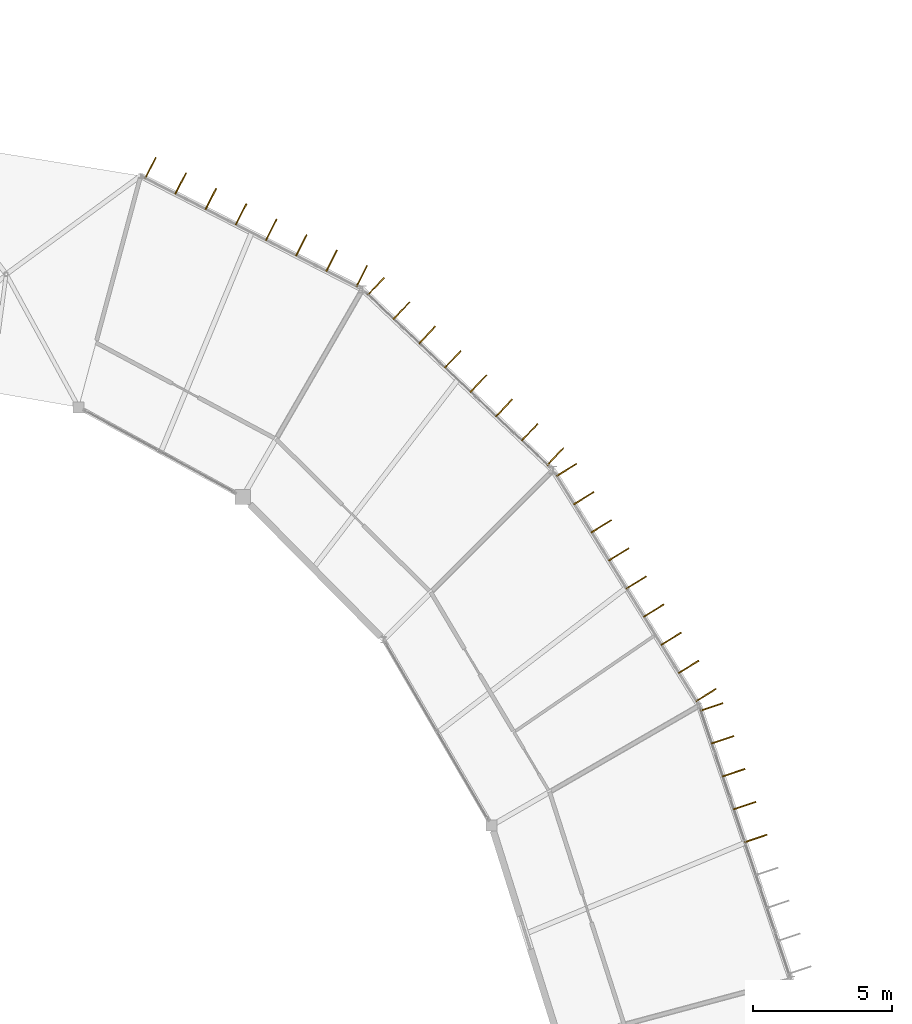
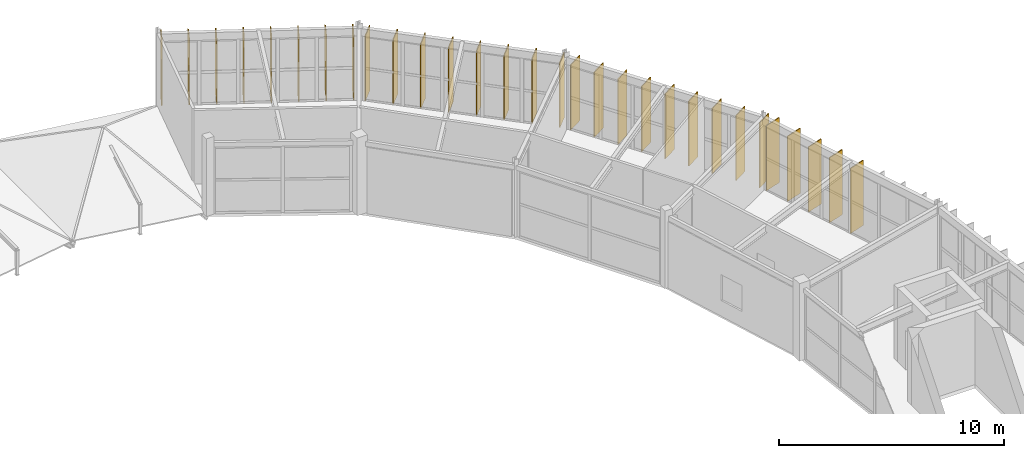
# One storey, part 65 of 66: 30 shading devices.
"""IFC4 building model written with IfcOpenShell, lengths in metres."""

import ifcopenshell
import ifcopenshell.guid

model = None  # the IFC model being written
_history = None  # IfcOwnerHistory: only IFC2X3 demands one
_inside = {}  # id of a spatial element -> (the spatial element, [elements in it])
_under = {}  # id of a project, library or spatial element -> (it, [spatial elements below it])
_declared = {}  # id of a project -> (the project, [libraries it declares])
_typed = {}  # id of a type object -> (the type object, [elements of that type])
_made_of = {}  # id of a material, layer set ... -> (it, [elements and type objects made of it])


def new_model(schema):
    """Start an empty IFC model of exactly this schema.

    Asked for "IFC4X3", IfcOpenShell would pick the latest addendum, in which some entities
    have other attributes; the version numbers below select the first issue.
    IFC2X3 requires an IfcOwnerHistory on every rooted entity: one is made here for all.
    """
    global model, _history
    if schema == "IFC4X3":
        model = ifcopenshell.file(schema_version=(4, 3, 0, 0))
    else:
        model = ifcopenshell.file(schema=schema)
    _inside.clear()
    _under.clear()
    _declared.clear()
    _typed.clear()
    _made_of.clear()
    _history = None
    if model.schema == "IFC2X3":
        org = make("IfcOrganization", Name="unknown")
        user = make(
            "IfcPersonAndOrganization",
            ThePerson=make("IfcPerson", FamilyName="unknown"),
            TheOrganization=org,
        )
        app = make(
            "IfcApplication",
            ApplicationDeveloper=org,
            Version="unknown",
            ApplicationFullName="unknown",
            ApplicationIdentifier="unknown",
        )
        _history = make(
            "IfcOwnerHistory",
            OwningUser=user,
            OwningApplication=app,
            ChangeAction="ADDED",
            CreationDate=0,
        )
    return model


def make(cls, **values):
    """One entity of the class cls with the attributes given. An attribute that is None is left unset."""
    return model.create_entity(
        cls, **{name: value for name, value in values.items() if value is not None}
    )


def rooted(cls, **values):
    """An entity with a GlobalId (a new one), such as an element, a storey or a relation."""
    return make(cls, GlobalId=ifcopenshell.guid.new(), OwnerHistory=_history, **values)


def si_unit(unit_type, name, prefix=None):
    """IfcSIUnit, for example si_unit("LENGTHUNIT", "METRE", prefix="MILLI")."""
    return make("IfcSIUnit", UnitType=unit_type, Prefix=prefix, Name=name)


def assignment(units):
    """IfcUnitAssignment: the units of a project."""
    return None if units is None else make("IfcUnitAssignment", Units=units)


def point(xyz):
    """IfcCartesianPoint."""
    return None if xyz is None else make("IfcCartesianPoint", Coordinates=xyz)


def direction(xyz):
    """IfcDirection."""
    return None if xyz is None else make("IfcDirection", DirectionRatios=xyz)


def frame(location, z_axis=None, x_axis=None):
    """IfcAxis2Placement3D, a coordinate frame: its origin and axes. An axis left out is left unset."""
    return make(
        "IfcAxis2Placement3D",
        Location=point(location),
        Axis=direction(z_axis),
        RefDirection=direction(x_axis),
    )


def frame_2d(location, x_axis=None):
    """IfcAxis2Placement2D, a coordinate frame in the plane: its origin and x axis."""
    return make(
        "IfcAxis2Placement2D", Location=point(location), RefDirection=direction(x_axis)
    )


def origin():
    """The frame at (0, 0, 0) with its axes left unset."""
    return frame((0.0, 0.0, 0.0))


def origin_2d():
    """The frame at (0, 0) in the plane with its x axis left unset."""
    return frame_2d((0.0, 0.0))


def place(relative_to, where):
    """IfcLocalPlacement: puts the frame where relative to a parent placement (None: the world)."""
    return make(
        "IfcLocalPlacement", PlacementRelTo=relative_to, RelativePlacement=where
    )


def context(
    kind, dimensions, precision=None, world=None, true_north=None, identifier=None
):
    """IfcGeometricRepresentationContext, for example the 3D "Model" context."""
    return make(
        "IfcGeometricRepresentationContext",
        ContextIdentifier=identifier,
        ContextType=kind,
        CoordinateSpaceDimension=dimensions,
        Precision=precision,
        WorldCoordinateSystem=world,
        TrueNorth=true_north,
    )


def subcontext(parent, identifier, kind, view, scale=None):
    """IfcGeometricRepresentationSubContext, for example "Body" below "Model"."""
    return make(
        "IfcGeometricRepresentationSubContext",
        ContextIdentifier=identifier,
        ContextType=kind,
        ParentContext=parent,
        TargetScale=scale,
        TargetView=view,
    )


def project(units=None, contexts=None):
    """IfcProject with its units and contexts."""
    return rooted(
        "IfcProject",
        Name="project",
        RepresentationContexts=contexts,
        UnitsInContext=assignment(units),
    )


def spatial(cls, under=None, at=None, **own):
    """A site, building, storey or space (cls), placed at a placement, below another one or the project."""
    s = rooted(cls, ObjectPlacement=at, **own)
    if under is not None:
        _under.setdefault(under.id(), (under, []))[1].append(s)
    return s


def profile(cls, at=None, kind="AREA", **sizes):
    """A parametric profile (cls). Its sizes go by their IFC names, for example OverallWidth=200.0."""
    return make(cls, ProfileType=kind, Position=at, **sizes)


def rectangle(**sizes):
    """IfcRectangleProfileDef."""
    return profile("IfcRectangleProfileDef", **sizes)


def extrude(swept, where, along, depth):
    """IfcExtrudedAreaSolid: the profile swept, set in the frame where, extruded along a direction by depth."""
    return make(
        "IfcExtrudedAreaSolid",
        SweptArea=swept,
        Position=where,
        ExtrudedDirection=direction(along),
        Depth=depth,
    )


def shape(context_of_items, identifier, shape_type, items):
    """IfcShapeRepresentation: the items that make up one representation, for example the "Body"."""
    return make(
        "IfcShapeRepresentation",
        ContextOfItems=context_of_items,
        RepresentationIdentifier=identifier,
        RepresentationType=shape_type,
        Items=items,
    )


def material(Name=None, Category=None):
    """IfcMaterial."""
    return make("IfcMaterial", Name=Name, Category=Category)


def layer(
    of_material, thickness, ventilated=None, Name=None, Category=None, Priority=None
):
    """IfcMaterialLayer: one layer of a wall or slab, of a material (None: an air gap)."""
    return make(
        "IfcMaterialLayer",
        Material=of_material,
        LayerThickness=thickness,
        IsVentilated=ventilated,
        Name=Name,
        Category=Category,
        Priority=Priority,
    )


def layer_set(layers, Name=None):
    """IfcMaterialLayerSet."""
    return make("IfcMaterialLayerSet", MaterialLayers=layers, LayerSetName=Name)


def made_of(thing, what):
    """Note that an element or type object is made of a material, layer set ...; save() writes the relation."""
    if what is not None:
        _made_of.setdefault(what.id(), (what, []))[1].append(thing)
    return thing


def type_object(cls, material=None, **own):
    """A type object (cls), such as IfcWallType, which elements share."""
    return made_of(rooted(cls, **own), material)


def element(
    cls,
    number,
    at=None,
    inside=None,
    cuts=None,
    type_object=None,
    material=None,
    context=None,
    identifier="Body",
    shape_type=None,
    held_by="IfcProductDefinitionShape",
    body=None,
    shapes=None,
    **own,
):
    """One element of the class cls, such as IfcWall. Its Tag is "e" and its number.

    at: its placement. inside: the storey or other place that contains it. cuts: it is an
    opening in that element (IfcRelVoidsElement). A single representation is given by context,
    identifier, shape_type and body (its items); several are given by shapes. held_by: the class
    of the entity that holds the representations. save() writes the other relations.
    """
    e = rooted(cls, Tag="e%d" % number, ObjectPlacement=at, **own)
    if body is not None:
        shapes = [shape(context, identifier, shape_type, body)]
    if shapes is not None:
        e.Representation = make(held_by, Representations=shapes)
    if inside is not None:
        _inside.setdefault(inside.id(), (inside, []))[1].append(e)
    if cuts is not None:
        rooted(
            "IfcRelVoidsElement", RelatingBuildingElement=cuts, RelatedOpeningElement=e
        )
    if type_object is not None:
        _typed.setdefault(type_object.id(), (type_object, []))[1].append(e)
    return made_of(e, material)


def aggregate(whole, parts):
    """IfcRelAggregates: a whole, such as a stair, and the parts it consists of."""
    return rooted("IfcRelAggregates", RelatingObject=whole, RelatedObjects=parts)


def save(model, path):
    """Write the relations noted so far, then the file.

    IfcRelAggregates (storeys below a building ...), IfcRelContainedInSpatialStructure (elements
    in a storey), IfcRelDefinesByType, IfcRelAssociatesMaterial and IfcRelDeclares: one each for
    every whole, place, type object, material and project.
    """
    for whole, parts in _under.values():
        aggregate(whole, parts)
    for where, things in _inside.values():
        rooted(
            "IfcRelContainedInSpatialStructure",
            RelatedElements=things,
            RelatingStructure=where,
        )
    for kind, things in _typed.values():
        rooted("IfcRelDefinesByType", RelatedObjects=things, RelatingType=kind)
    for what, things in _made_of.values():
        rooted("IfcRelAssociatesMaterial", RelatedObjects=things, RelatingMaterial=what)
    for by, libraries in _declared.values():
        rooted("IfcRelDeclares", RelatingContext=by, RelatedDefinitions=libraries)
    model.write(path)


model = new_model("IFC4")

# Units and contexts
model_context = context("Model", 3, precision=1e-05, world=origin(), true_north=direction((0.0, 1.0)))
body_context = subcontext(model_context, "Body", "Model", "MODEL_VIEW")
ifc_project = project(units=[si_unit("LENGTHUNIT", "METRE"), si_unit("AREAUNIT", "SQUARE_METRE"), si_unit("VOLUMEUNIT", "CUBIC_METRE"), si_unit("PLANEANGLEUNIT", "RADIAN"), si_unit("MASSUNIT", "GRAM", prefix="KILO")], contexts=[model_context])

# Site, building, storey
site_placement = place(None, origin())
site = spatial("IfcSite", under=ifc_project, at=site_placement, CompositionType="ELEMENT")
building_placement = place(site_placement, origin())
building = spatial("IfcBuilding", under=site, at=building_placement, Name="Karori Crest Natural Sciences Institute", CompositionType="ELEMENT")
storey_placement = place(building_placement, frame((0.0, 0.0, 30.10009765625)))
storey = spatial("IfcBuildingStorey", under=building, at=storey_placement, Name="L07", CompositionType="ELEMENT", Elevation=30.10009765625)

# Shading devices
ifc_material = material(Name="Anodised architectural aluminium 6063-T6", Category="aluminium")
ifc_layer = layer(ifc_material, 0.044921875, Name="Anodised architectural aluminium 6063-T6")
ifc_layer_set = layer_set([ifc_layer], Name="Anodised architectural aluminium 6063-T6")
shading_device_type = type_object("IfcShadingDeviceType", Name="SDT-FIN", PredefinedType="USERDEFINED", material=ifc_layer_set)
for number, where, z_axis, x_axis, name in (
    (1, (95.42578125, 70.25634765625, 0.0), (0.0, 0.0, 1.0), (0.948197867933, 0.317680347595, 0.0), "Vertical solar fin FN-1226"),
    (2, (95.8212890625, 69.075439453125, 0.0), (0.0, 0.0, 1.0), (0.948197867933, 0.317680347595, 0.0), "Vertical solar fin FN-1227"),
    (3, (96.217041015625, 67.894775390625, 0.0), (0.0, 0.0, 1.0), (0.948197867933, 0.317680347595, 0.0), "Vertical solar fin FN-1228"),
    (4, (96.61279296875, 66.7138671875, 0.0), (0.0, 0.0, 1.0), (0.948197867933, 0.317680347595, 0.0), "Vertical solar fin FN-1229"),
    (5, (97.00830078125, 65.533203125, 0.0), (0.0, 0.0, 1.0), (0.948197867933, 0.317680347595, 0.0), "Vertical solar fin FN-1230"),
    (6, (90.215087890625, 78.7529296875, 0.0), (0.0, 0.0, 1.0), (0.849661763889, 0.527328063907, 0.0), "Vertical solar fin FN-1235"),
    (7, (90.84130859375, 77.743896484375, 0.0), (0.0, 0.0, 1.0), (0.849661763889, 0.527328063907, 0.0), "Vertical solar fin FN-1236"),
    (8, (91.4677734375, 76.73486328125, 0.0), (0.0, 0.0, 1.0), (0.849661763889, 0.527328063907, 0.0), "Vertical solar fin FN-1237"),
    (9, (92.093994140625, 75.725830078125, 0.0), (0.0, 0.0, 1.0), (0.849661763889, 0.527328063907, 0.0), "Vertical solar fin FN-1238"),
    (10, (92.72021484375, 74.716796875, 0.0), (0.0, 0.0, 1.0), (0.849661763889, 0.527328063907, 0.0), "Vertical solar fin FN-1239"),
    (11, (93.346435546875, 73.70751953125, 0.0), (0.0, 0.0, 1.0), (0.849661763889, 0.527328063907, 0.0), "Vertical solar fin FN-1240"),
    (12, (93.97265625, 72.698486328125, 0.0), (0.0, 0.0, 1.0), (0.849661763889, 0.527328063907, 0.0), "Vertical solar fin FN-1241"),
    (13, (94.59912109375, 71.689453125, 0.0), (0.0, 0.0, 1.0), (0.849661763889, 0.527328063907, 0.0), "Vertical solar fin FN-1242"),
    (14, (95.22509765625, 70.680419921875, 0.0), (0.0, 0.0, 1.0), (0.849661763889, 0.527328063907, 0.0), "Vertical solar fin FN-1243"),
    (15, (83.38037109375, 85.34326171875, 0.0), (0.0, 0.0, 1.0), (0.68825202143, 0.725471677599, 0.0), "Vertical solar fin FN-1244"),
    (16, (84.2998046875, 84.470947265625, 0.0), (0.0, 0.0, 1.0), (0.68825202143, 0.725471677599, 0.0), "Vertical solar fin FN-1245"),
    (17, (85.219482421875, 83.598388671875, 0.0), (0.0, 0.0, 1.0), (0.68825202143, 0.725471677599, 0.0), "Vertical solar fin FN-1246"),
    (18, (86.13916015625, 82.72607421875, 0.0), (0.0, 0.0, 1.0), (0.68825202143, 0.725471677599, 0.0), "Vertical solar fin FN-1247"),
    (19, (87.058837890625, 81.853515625, 0.0), (0.0, 0.0, 1.0), (0.68825202143, 0.725471677599, 0.0), "Vertical solar fin FN-1248"),
    (20, (87.978515625, 80.981201171875, 0.0), (0.0, 0.0, 1.0), (0.68825202143, 0.725471677599, 0.0), "Vertical solar fin FN-1249"),
    (21, (88.89794921875, 80.108642578125, 0.0), (0.0, 0.0, 1.0), (0.68825202143, 0.725471677599, 0.0), "Vertical solar fin FN-1250"),
    (22, (89.817626953125, 79.236328125, 0.0), (0.0, 0.0, 1.0), (0.68825202143, 0.725471677599, 0.0), "Vertical solar fin FN-1251"),
    (23, (75.2919921875, 89.590576171875, 0.0), (0.0, 0.0, 1.0), (0.455829213737, 0.890067260326, 0.0), "Vertical solar fin FN-1252"),
    (24, (76.375, 89.035888671875, 0.0), (0.0, 0.0, 1.0), (0.455829213737, 0.890067260326, 0.0), "Vertical solar fin FN-1253"),
    (25, (77.4580078125, 88.4814453125, 0.0), (0.0, 0.0, 1.0), (0.455829213737, 0.890067260326, 0.0), "Vertical solar fin FN-1254"),
    (26, (78.541015625, 87.9267578125, 0.0), (0.0, 0.0, 1.0), (0.455829213737, 0.890067260326, 0.0), "Vertical solar fin FN-1255"),
    (27, (79.623779296875, 87.372314453125, 0.0), (0.0, 0.0, 1.0), (0.455829213737, 0.890067260326, 0.0), "Vertical solar fin FN-1256"),
    (28, (80.706787109375, 86.817626953125, 0.0), (0.0, 0.0, 1.0), (0.455829213737, 0.890067260326, 0.0), "Vertical solar fin FN-1257"),
    (29, (81.789794921875, 86.262939453125, 0.0), (0.0, 0.0, 1.0), (0.455829213737, 0.890067260326, 0.0), "Vertical solar fin FN-1258"),
    (30, (82.872802734375, 85.70849609375, 0.0), (0.0, 0.0, 1.0), (0.455829213737, 0.890067260326, 0.0), "Vertical solar fin FN-1259"),
):
    element("IfcShadingDevice", number, at=place(storey_placement, frame(where, z_axis=z_axis, x_axis=x_axis)), inside=storey, type_object=shading_device_type, Name=name, ObjectType="SOLAR_FIN", PredefinedType="USERDEFINED", context=body_context, shape_type="SweptSolid", body=[
        extrude(rectangle(XDim=0.85009765625, YDim=0.044921875, at=origin_2d()), origin(), (0.0, 0.0, 1.0), 3.52490234375),
    ])

save(model, "model.ifc")
